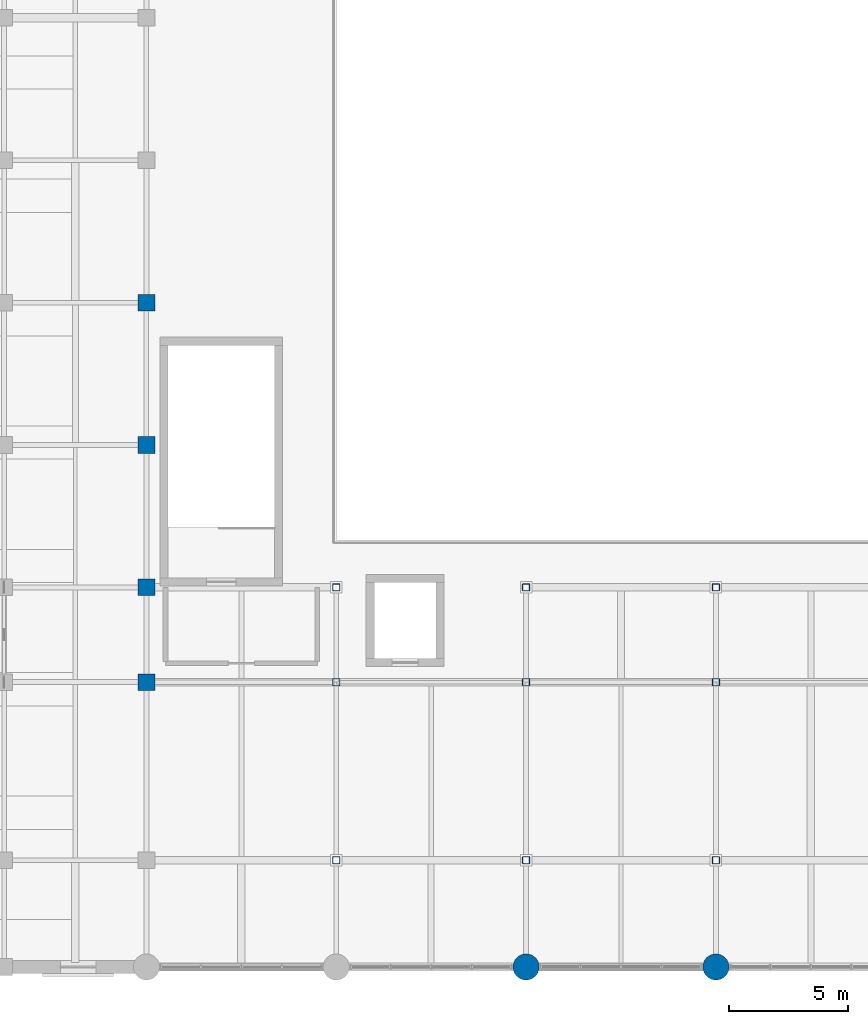
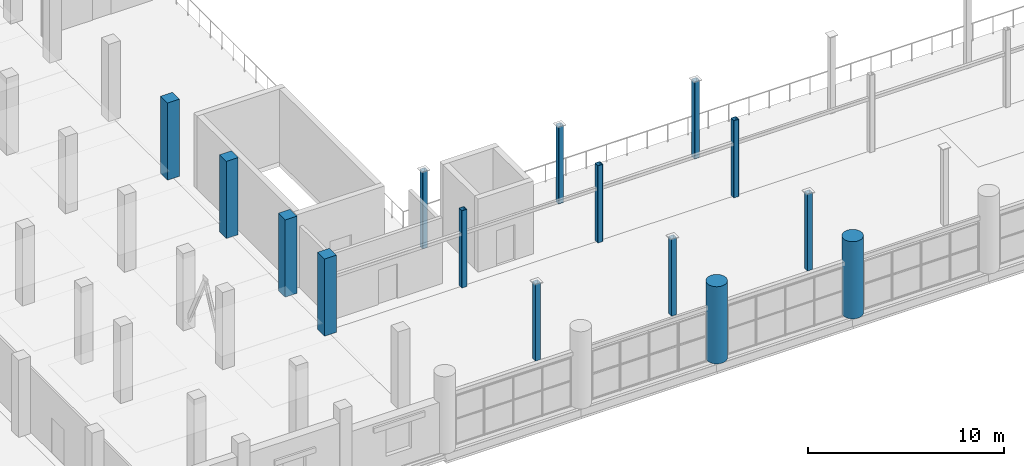
# One storey, part 2 of 114: 15 columns.
"""IFC4 building model written with IfcOpenShell, lengths in metres."""

from ifc_helpers import new_model, si_unit, direction, frame, origin, origin_2d, place, context, subcontext, project, spatial, rectangle, hollow_rectangle, circle, extrude, material, material_profile, profile_set, type_object, element, save


model = new_model("IFC4")

# Units and contexts
model_context = context("Model", 3, precision=1e-05, world=origin(), true_north=direction((0.0, 1.0)))
body_context = subcontext(model_context, "Body", "Model", "MODEL_VIEW")
ifc_project = project(units=[si_unit("LENGTHUNIT", "METRE"), si_unit("AREAUNIT", "SQUARE_METRE"), si_unit("VOLUMEUNIT", "CUBIC_METRE"), si_unit("PLANEANGLEUNIT", "RADIAN"), si_unit("MASSUNIT", "GRAM", prefix="KILO")], contexts=[model_context])

# Site, building, storey
site_placement = place(None, origin())
site = spatial("IfcSite", under=ifc_project, at=site_placement, CompositionType="ELEMENT")
building_placement = place(site_placement, origin())
building = spatial("IfcBuilding", under=site, at=building_placement, Name="Verrall Gate Interchange", CompositionType="ELEMENT")
storey_placement = place(building_placement, frame((0.0, 0.0, 6.60009765625)))
storey = spatial("IfcBuildingStorey", under=building, at=storey_placement, Name="L02", CompositionType="ELEMENT", Elevation=6.60009765625)

# Columns
ifc_material_1 = material(Name="Concrete CSA A23.1 40 MPa (Class N)", Category="concrete")
ifc_material_profile_1 = material_profile(ifc_material_1, rectangle(XDim=0.699951171875, YDim=0.699951171875, at=origin_2d()), Name="RC700x700")
ifc_profile_set_1 = profile_set([ifc_material_profile_1], Name="Concrete CSA A23.1 40 MPa (Class N)")
column_type_1 = type_object("IfcColumnType", Name="C-03 Column RC700x700", PredefinedType="COLUMN", material=ifc_profile_set_1)
for number, where, z_axis, x_axis, name in (
    (1, (36.0, 12.0, 0.0), (0.0, 0.0, 1.0), (1.0, 0.0, 0.0), "L02 Column COL-L02-0733 (C-03)"),
    (2, (36.0, 16.0, 0.0), (0.0, 0.0, 1.0), (1.0, 0.0, 0.0), "L02 Column COL-L02-0741 (C-03)"),
    (3, (36.0, 22.0, 0.0), (0.0, 0.0, 1.0), (1.0, 0.0, 0.0), "L02 Column COL-L02-0749 (C-03)"),
    (4, (36.0, 28.0, 0.0), (0.0, 0.0, 1.0), (1.0, 0.0, 0.0), "L02 Column COL-L02-0757 (C-03)"),
):
    element("IfcColumn", number, at=place(storey_placement, frame(where, z_axis=z_axis, x_axis=x_axis)), inside=storey, type_object=column_type_1, Name=name, PredefinedType="COLUMN", context=body_context, shape_type="SweptSolid", body=[
        extrude(rectangle(XDim=0.699951171875, YDim=0.699951171875, at=origin_2d()), origin(), (0.0, 0.0, 1.0), 4.7998046875),
    ])
ifc_material_2 = material(Name="Concrete CSA A23.1 40 MPa (Class C-1)", Category="concrete")
ifc_material_profile_2 = material_profile(ifc_material_2, circle(Radius=0.550048828125, at=origin_2d()), Name="RC1100D")
ifc_profile_set_2 = profile_set([ifc_material_profile_2], Name="Concrete CSA A23.1 40 MPa (Class C-1)")
column_type_2 = type_object("IfcColumnType", Name="C-06 Column RC1100D", PredefinedType="COLUMN", material=ifc_profile_set_2)
for number, where, z_axis, x_axis, name in (
    (5, (52.0, 0.0, 0.0), (0.0, 0.0, 1.0), (1.0, 0.0, 0.0), "L02 Column COL-L02-0867 (C-06)"),
    (6, (60.0, 0.0, 0.0), (0.0, 0.0, 1.0), (1.0, 0.0, 0.0), "L02 Column COL-L02-0905 (C-06)"),
):
    element("IfcColumn", number, at=place(storey_placement, frame(where, z_axis=z_axis, x_axis=x_axis)), inside=storey, type_object=column_type_2, Name=name, PredefinedType="COLUMN", context=body_context, shape_type="SweptSolid", body=[
        extrude(circle(Radius=0.550048828125, at=origin_2d()), origin(), (0.0, 0.0, 1.0), 4.7998046875),
    ])
ifc_material_3 = material(Name="Structural Steel CSA G40.21 350WT Cat 4", Category="steel")
ifc_material_profile_3 = material_profile(ifc_material_3, hollow_rectangle(XDim=0.304931640625, YDim=0.304931640625, WallThickness=0.0126953125, InnerFilletRadius=0.0126953125, OuterFilletRadius=0.025390625, at=origin_2d()), Name="HSS305x305x13")
ifc_profile_set_3 = profile_set([ifc_material_profile_3], Name="Structural Steel CSA G40.21 350WT Cat 4")
column_type_3 = type_object("IfcColumnType", Name="C-12 Column HSS305x305x13", PredefinedType="COLUMN", material=ifc_profile_set_3)
for number, where, z_axis, x_axis, name in (
    (7, (44.0, 4.5, 0.0), (0.0, 0.0, 1.0), (1.0, 0.0, 0.0), "L02 Column COL-L02-0833 (C-12)"),
    (8, (44.0, 12.0, 0.0), (0.0, 0.0, 1.0), (1.0, 0.0, 0.0), "L02 Column COL-L02-0837 (C-12)"),
    (9, (44.0, 16.0, 0.0), (0.0, 0.0, 1.0), (1.0, 0.0, 0.0), "L02 Column COL-L02-0841 (C-12)"),
    (10, (52.0, 4.5, 0.0), (0.0, 0.0, 1.0), (1.0, 0.0, 0.0), "L02 Column COL-L02-0871 (C-12)"),
    (11, (52.0, 12.0, 0.0), (0.0, 0.0, 1.0), (1.0, 0.0, 0.0), "L02 Column COL-L02-0875 (C-12)"),
    (12, (52.0, 16.0, 0.0), (0.0, 0.0, 1.0), (1.0, 0.0, 0.0), "L02 Column COL-L02-0879 (C-12)"),
    (13, (60.0, 4.5, 0.0), (0.0, 0.0, 1.0), (1.0, 0.0, 0.0), "L02 Column COL-L02-0909 (C-12)"),
    (14, (60.0, 12.0, 0.0), (0.0, 0.0, 1.0), (1.0, 0.0, 0.0), "L02 Column COL-L02-0913 (C-12)"),
    (15, (60.0, 16.0, 0.0), (0.0, 0.0, 1.0), (1.0, 0.0, 0.0), "L02 Column COL-L02-0917 (C-12)"),
):
    element("IfcColumn", number, at=place(storey_placement, frame(where, z_axis=z_axis, x_axis=x_axis)), inside=storey, type_object=column_type_3, Name=name, PredefinedType="COLUMN", context=body_context, shape_type="SweptSolid", body=[
        extrude(hollow_rectangle(XDim=0.304931640625, YDim=0.304931640625, WallThickness=0.0126953125, InnerFilletRadius=0.0126953125, OuterFilletRadius=0.025390625, at=origin_2d()), origin(), (0.0, 0.0, 1.0), 4.7998046875),
    ])

save(model, "model.ifc")
